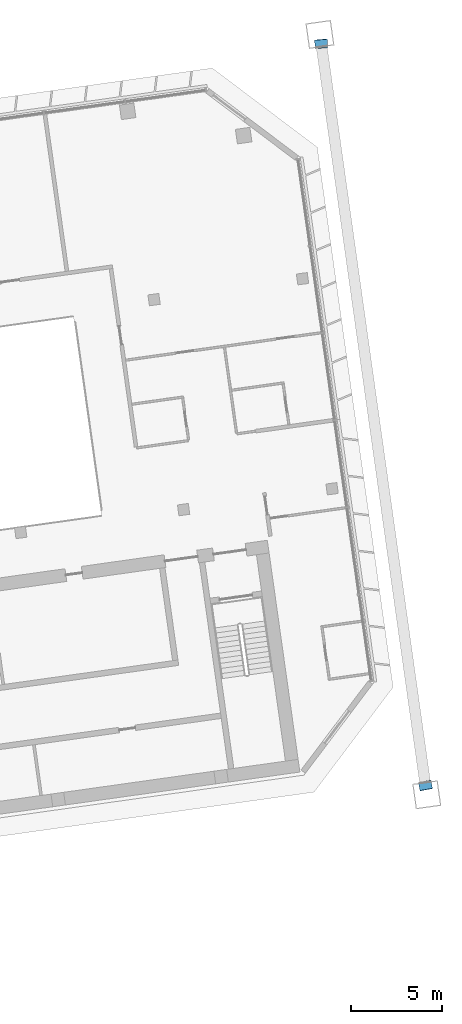
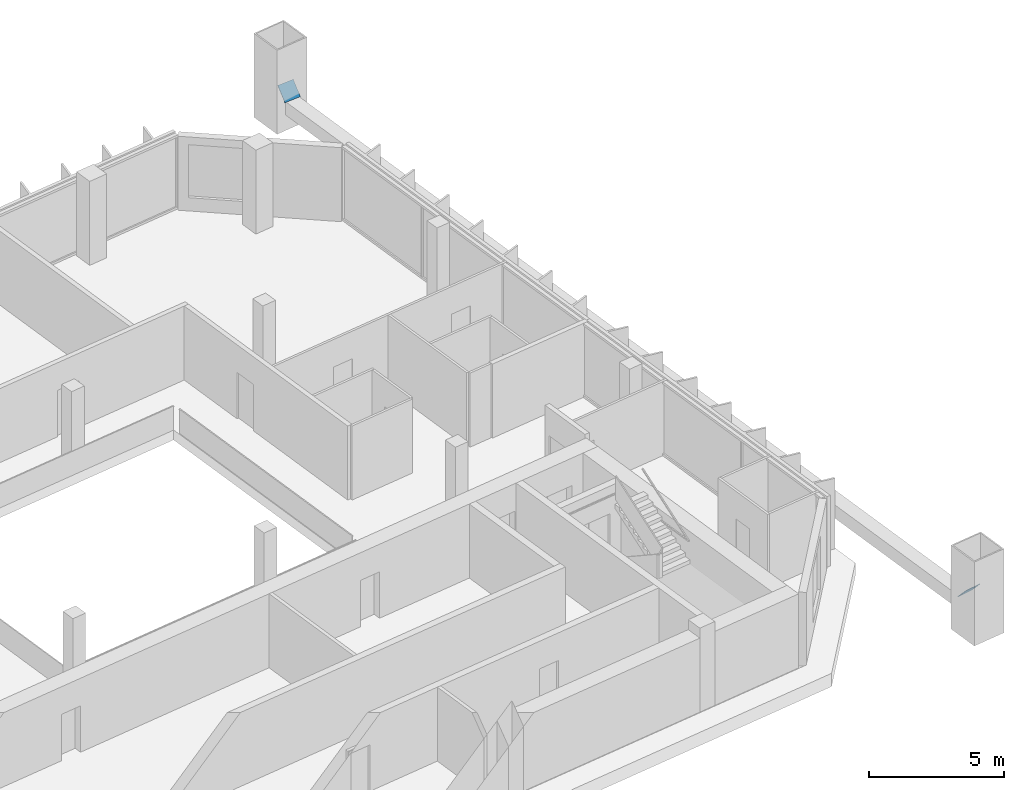
# One storey, part 27 of 31: 2 discrete accessories.
"""IFC4 building model written with IfcOpenShell, lengths in metres."""

from ifc_helpers import new_model, si_unit, direction, frame, origin, origin_2d, place, context, subcontext, project, spatial, rectangle, extrude, material, material_profile, profile_set, type_object, element, save


model = new_model("IFC4")

# Units and contexts
model_context = context("Model", 3, precision=1e-05, world=origin(), true_north=direction((0.0, 1.0)))
body_context = subcontext(model_context, "Body", "Model", "MODEL_VIEW")
ifc_project = project(units=[si_unit("LENGTHUNIT", "METRE"), si_unit("AREAUNIT", "SQUARE_METRE"), si_unit("VOLUMEUNIT", "CUBIC_METRE"), si_unit("PLANEANGLEUNIT", "RADIAN"), si_unit("MASSUNIT", "GRAM", prefix="KILO")], contexts=[model_context])

# Site, building, storey
site_placement = place(None, origin())
site = spatial("IfcSite", under=ifc_project, at=site_placement, CompositionType="ELEMENT")
building_placement = place(site_placement, origin())
building = spatial("IfcBuilding", under=site, at=building_placement, Name="Mirante Cascada Hotel Towers", CompositionType="ELEMENT")
storey_placement = place(building_placement, frame((0.0, 0.0, 157.4)))
storey = spatial("IfcBuildingStorey", under=building, at=storey_placement, Name="L36", CompositionType="ELEMENT", Elevation=157.4)

# Discrete accessories
ifc_material = material(Name="Steel ASTM A572 Gr 50", Category="steel")
ifc_material_profile = material_profile(ifc_material, rectangle(XDim=0.7, YDim=0.7, at=origin_2d()), Name="Connection plate 700x700x25 ASTM A572 Gr 50")
ifc_profile_set = profile_set([ifc_material_profile], Name="Steel ASTM A572 Gr 50")
discrete_accessory_type = type_object("IfcDiscreteAccessoryType", Name="Connection plate 700x700x25 ASTM A572 Gr 50", PredefinedType="BRACKET", material=ifc_profile_set)
discrete_accessory_1_placement = place(storey_placement, frame((97.2199, -13.2472, 1.5469), z_axis=(-0.135963, 0.731801, 0.6678184), x_axis=(-0.983175, -0.1826664, 0.0)))
element("IfcDiscreteAccessory", 1, at=discrete_accessory_1_placement, inside=storey, type_object=discrete_accessory_type, Name="Connection plate MB-OL36L", PredefinedType="BRACKET", context=body_context, shape_type="SweptSolid", body=[
    extrude(rectangle(XDim=0.7, YDim=0.7, at=origin_2d()), origin(), (0.0, 0.0, 1.0), 0.025),
])
discrete_accessory_2_placement = place(storey_placement, frame((91.5158, 27.3399, 1.5469), z_axis=(0.0678514, -0.7423745, 0.6665405), x_axis=(0.9958492, 0.0910185, 0.0)))
element("IfcDiscreteAccessory", 2, at=discrete_accessory_2_placement, inside=storey, type_object=discrete_accessory_type, Name="Connection plate MB-OL36R", PredefinedType="BRACKET", context=body_context, shape_type="SweptSolid", body=[
    extrude(rectangle(XDim=0.7, YDim=0.7, at=origin_2d()), origin(), (0.0, 0.0, 1.0), 0.0251),
])

save(model, "model.ifc")
